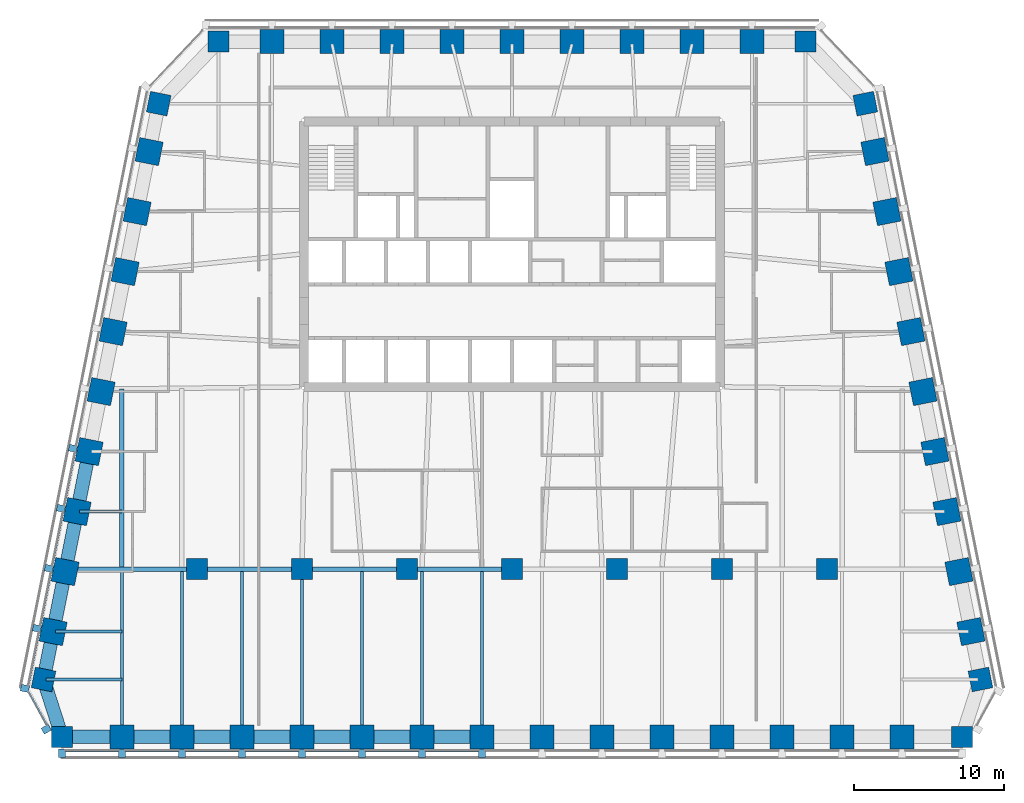
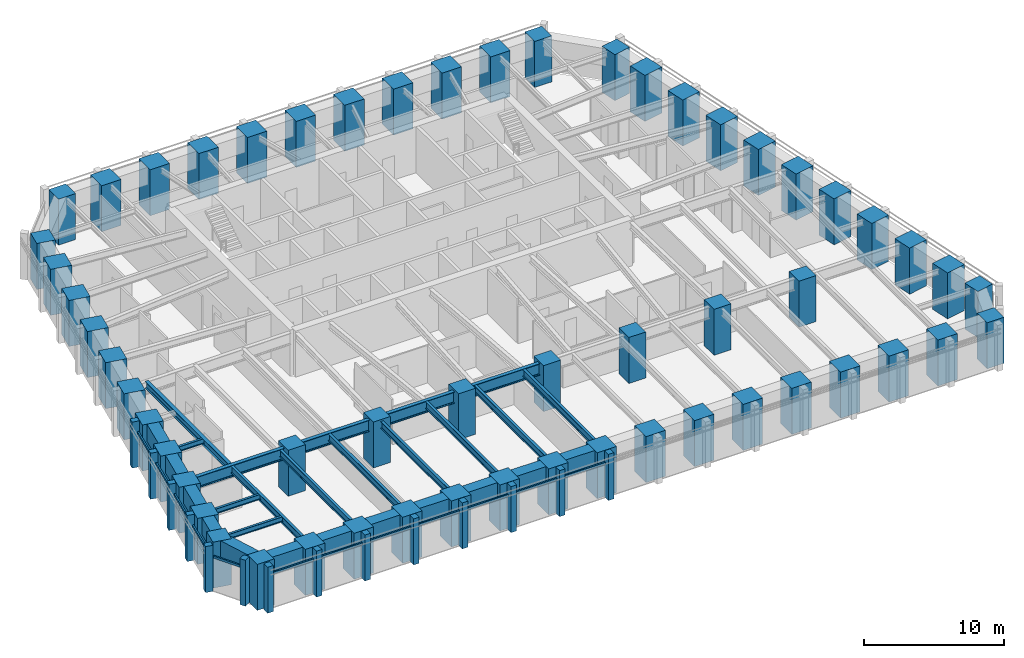
# One storey, part 1 of 10: 56 columns, 27 beams, 26 members, 3 elements without a shape of their own.
"""IFC4 building model written with IfcOpenShell, lengths in metres."""

from ifc_helpers import new_model, si_unit, direction, frame, origin, origin_2d, place, context, subcontext, project, spatial, rectangle, i_section, extrude, material, material_profile, profile_set, type_object, element, aggregate, save


model = new_model("IFC4")

# Units and contexts
model_context = context("Model", 3, precision=1e-05, world=origin(), true_north=direction((0.0, 1.0)))
body_context = subcontext(model_context, "Body", "Model", "MODEL_VIEW")
ifc_project = project(units=[si_unit("LENGTHUNIT", "METRE"), si_unit("AREAUNIT", "SQUARE_METRE"), si_unit("VOLUMEUNIT", "CUBIC_METRE"), si_unit("PLANEANGLEUNIT", "RADIAN"), si_unit("MASSUNIT", "GRAM", prefix="KILO")], contexts=[model_context])

# Site, building, storey
site_placement = place(None, origin())
site = spatial("IfcSite", under=ifc_project, at=site_placement, CompositionType="ELEMENT")
building_placement = place(site_placement, origin())
building = spatial("IfcBuilding", under=site, at=building_placement, Name="Isbrekke Arena Tower", CompositionType="ELEMENT")
storey_placement = place(building_placement, frame((0.0, 0.0, 190.0)))
storey = spatial("IfcBuildingStorey", under=building, at=storey_placement, Name="L43", CompositionType="ELEMENT", Elevation=190.0)

# Columns
ifc_material_1 = material(Name="Concrete B65 (C65/80)", Category="concrete")
ifc_material_profile_1 = material_profile(ifc_material_1, rectangle(XDim=1.39990234375, YDim=1.39990234375, at=origin_2d()), Name="RC 1400x1400")
ifc_profile_set_1 = profile_set([ifc_material_profile_1], Name="Concrete B65 (C65/80)")
column_type_1 = type_object("IfcColumnType", Name="C13 RC 1400 x 1400", PredefinedType="COLUMN", material=ifc_profile_set_1)
for number, where, z_axis, x_axis, name in (
    (1, (-21.0, -6.0, 0.0), (0.0, 0.0, 1.0), (1.0, 0.0, 0.0), "C13 I01"),
    (2, (-14.0, -6.0, 0.0), (0.0, 0.0, 1.0), (1.0, 0.0, 0.0), "C13 I02"),
    (3, (-7.0, -6.0, 0.0), (0.0, 0.0, 1.0), (1.0, 0.0, 0.0), "C13 I03"),
    (4, (0.0, -6.0, 0.0), (0.0, 0.0, 1.0), (1.0, 0.0, 0.0), "C13 I04"),
    (5, (7.0, -6.0, 0.0), (0.0, 0.0, 1.0), (1.0, 0.0, 0.0), "C13 I05"),
    (6, (14.0, -6.0, 0.0), (0.0, 0.0, 1.0), (1.0, 0.0, 0.0), "C13 I06"),
    (7, (21.0, -6.0, 0.0), (0.0, 0.0, 1.0), (1.0, 0.0, 0.0), "C13 I07"),
):
    element("IfcColumn", number, at=place(storey_placement, frame(where, z_axis=z_axis, x_axis=x_axis)), inside=storey, type_object=column_type_1, Name=name, PredefinedType="COLUMN", context=body_context, shape_type="SweptSolid", body=[
        extrude(rectangle(XDim=1.39990234375, YDim=1.39990234375, at=origin_2d()), origin(), (0.0, 0.0, 1.0), 4.0),
    ])
ifc_material_2 = material(Name="Concrete B65 (C65/80)", Category="concrete")
ifc_material_profile_2 = material_profile(ifc_material_2, rectangle(XDim=1.60009765625, YDim=1.60009765625, at=origin_2d()), Name="RC 1600x1600")
ifc_profile_set_2 = profile_set([ifc_material_profile_2], Name="Concrete B65 (C65/80)")
column_type_2 = type_object("IfcColumnType", Name="C4 RC 1600 x 1600", PredefinedType="COLUMN", material=ifc_profile_set_2)
for number, where, z_axis, x_axis, name in (
    (8, (-26.0, -17.175048828125, 0.0), (0.0, 0.0, 1.0), (1.0, 0.0, 0.0), "C4 S02"),
    (9, (-22.0, -17.175048828125, 0.0), (0.0, 0.0, 1.0), (1.0, 0.0, 0.0), "C4 S03"),
    (10, (-18.0, -17.175048828125, 0.0), (0.0, 0.0, 1.0), (1.0, 0.0, 0.0), "C4 S04"),
    (11, (-14.0, -17.175048828125, 0.0), (0.0, 0.0, 1.0), (1.0, 0.0, 0.0), "C4 S05"),
    (12, (-10.0, -17.175048828125, 0.0), (0.0, 0.0, 1.0), (1.0, 0.0, 0.0), "C4 S06"),
    (13, (-6.0, -17.175048828125, 0.0), (0.0, 0.0, 1.0), (1.0, 0.0, 0.0), "C4 S07"),
    (14, (-2.0, -17.175048828125, 0.0), (0.0, 0.0, 1.0), (1.0, 0.0, 0.0), "C4 S08"),
    (15, (2.0, -17.175048828125, 0.0), (0.0, 0.0, 1.0), (1.0, 0.0, 0.0), "C4 S09"),
    (16, (6.0, -17.175048828125, 0.0), (0.0, 0.0, 1.0), (1.0, 0.0, 0.0), "C4 S10"),
    (17, (10.0, -17.175048828125, 0.0), (0.0, 0.0, 1.0), (1.0, 0.0, 0.0), "C4 S11"),
    (18, (14.0, -17.175048828125, 0.0), (0.0, 0.0, 1.0), (1.0, 0.0, 0.0), "C4 S12"),
    (19, (18.0, -17.175048828125, 0.0), (0.0, 0.0, 1.0), (1.0, 0.0, 0.0), "C4 S13"),
    (20, (22.0, -17.175048828125, 0.0), (0.0, 0.0, 1.0), (1.0, 0.0, 0.0), "C4 S14"),
    (21, (26.0, -17.175048828125, 0.0), (0.0, 0.0, 1.0), (1.0, 0.0, 0.0), "C4 S15"),
    (22, (30.591064453125, -10.161865234375, 0.0), (0.0, 0.0, 1.0), (-0.196116135138, 0.980580675691, 0.0), "C4 E02"),
    (23, (29.791015625, -6.161865234375, 0.0), (0.0, 0.0, 1.0), (-0.196116135138, 0.980580675691, 0.0), "C4 E03"),
    (24, (28.990966796875, -2.161865234375, 0.0), (0.0, 0.0, 1.0), (-0.196116135138, 0.980580675691, 0.0), "C4 E04"),
    (25, (28.19091796875, 1.838134765625, 0.0), (0.0, 0.0, 1.0), (-0.196116135138, 0.980580675691, 0.0), "C4 E05"),
    (26, (27.39111328125, 5.838134765625, 0.0), (0.0, 0.0, 1.0), (-0.196116135138, 0.980580675691, 0.0), "C4 E06"),
    (27, (26.591064453125, 9.838134765625, 0.0), (0.0, 0.0, 1.0), (-0.196116135138, 0.980580675691, 0.0), "C4 E07"),
    (28, (25.791015625, 13.838134765625, 0.0), (0.0, 0.0, 1.0), (-0.196116135138, 0.980580675691, 0.0), "C4 E08"),
    (29, (24.990966796875, 17.838134765625, 0.0), (0.0, 0.0, 1.0), (-0.196116135138, 0.980580675691, 0.0), "C4 E09"),
    (30, (24.19091796875, 21.838134765625, 0.0), (0.0, 0.0, 1.0), (-0.196116135138, 0.980580675691, 0.0), "C4 E10"),
    (31, (16.0, 29.175048828125, 0.0), (0.0, 0.0, 1.0), (-1.0, 0.0, 0.0), "C4 N02"),
    (32, (12.0, 29.175048828125, 0.0), (0.0, 0.0, 1.0), (-1.0, 0.0, 0.0), "C4 N03"),
    (33, (8.0, 29.175048828125, 0.0), (0.0, 0.0, 1.0), (-1.0, 0.0, 0.0), "C4 N04"),
    (34, (4.0, 29.175048828125, 0.0), (0.0, 0.0, 1.0), (-1.0, 0.0, 0.0), "C4 N05"),
    (35, (0.0, 29.175048828125, 0.0), (0.0, 0.0, 1.0), (-1.0, 0.0, 0.0), "C4 N06"),
    (36, (-4.0, 29.175048828125, 0.0), (0.0, 0.0, 1.0), (-1.0, 0.0, 0.0), "C4 N07"),
    (37, (-8.0, 29.175048828125, 0.0), (0.0, 0.0, 1.0), (-1.0, 0.0, 0.0), "C4 N08"),
    (38, (-12.0, 29.175048828125, 0.0), (0.0, 0.0, 1.0), (-1.0, 0.0, 0.0), "C4 N09"),
    (39, (-16.0, 29.175048828125, 0.0), (0.0, 0.0, 1.0), (-1.0, 0.0, 0.0), "C4 N10"),
    (40, (-24.19091796875, 21.838134765625, 0.0), (0.0, 0.0, 1.0), (-0.196116135138, -0.980580675691, 0.0), "C4 W02"),
    (41, (-24.990966796875, 17.838134765625, 0.0), (0.0, 0.0, 1.0), (-0.196116135138, -0.980580675691, 0.0), "C4 W03"),
    (42, (-25.791015625, 13.838134765625, 0.0), (0.0, 0.0, 1.0), (-0.196116135138, -0.980580675691, 0.0), "C4 W04"),
    (43, (-26.591064453125, 9.838134765625, 0.0), (0.0, 0.0, 1.0), (-0.196116135138, -0.980580675691, 0.0), "C4 W05"),
    (44, (-27.39111328125, 5.838134765625, 0.0), (0.0, 0.0, 1.0), (-0.196116135138, -0.980580675691, 0.0), "C4 W06"),
    (45, (-28.19091796875, 1.838134765625, 0.0), (0.0, 0.0, 1.0), (-0.196116135138, -0.980580675691, 0.0), "C4 W07"),
    (46, (-28.990966796875, -2.161865234375, 0.0), (0.0, 0.0, 1.0), (-0.196116135138, -0.980580675691, 0.0), "C4 W08"),
    (47, (-29.791015625, -6.161865234375, 0.0), (0.0, 0.0, 1.0), (-0.196116135138, -0.980580675691, 0.0), "C4 W09"),
    (48, (-30.591064453125, -10.161865234375, 0.0), (0.0, 0.0, 1.0), (-0.196116135138, -0.980580675691, 0.0), "C4 W10"),
):
    element("IfcColumn", number, at=place(storey_placement, frame(where, z_axis=z_axis, x_axis=x_axis)), inside=storey, type_object=column_type_2, Name=name, PredefinedType="COLUMN", context=body_context, shape_type="SweptSolid", body=[
        extrude(rectangle(XDim=1.60009765625, YDim=1.60009765625, at=origin_2d()), origin(), (0.0, 0.0, 1.0), 4.0),
    ])
ifc_material_3 = material(Name="Concrete B65 (C65/80)", Category="concrete")
ifc_material_profile_3 = material_profile(ifc_material_3, rectangle(XDim=1.39990234375, YDim=1.39990234375, at=origin_2d()), Name="RC 1400x1400")
ifc_profile_set_3 = profile_set([ifc_material_profile_3], Name="Concrete B65 (C65/80)")
column_type_3 = type_object("IfcColumnType", Name="C8 RC 1400 x 1400", PredefinedType="COLUMN", material=ifc_profile_set_3)
for number, where, z_axis, x_axis, name in (
    (49, (-30.0, -17.175048828125, 0.0), (0.0, 0.0, 1.0), (1.0, 0.0, 0.0), "C8 S01"),
    (50, (30.0, -17.175048828125, 0.0), (0.0, 0.0, 1.0), (1.0, 0.0, 0.0), "C8 S16"),
    (51, (31.229248046875, -13.352783203125, 0.0), (0.0, 0.0, 1.0), (-0.196116135138, 0.980580675691, 0.0), "C8 E01"),
    (52, (23.552734375, 25.029296875, 0.0), (0.0, 0.0, 1.0), (-0.196116135138, 0.980580675691, 0.0), "C8 E11"),
    (53, (19.574951171875, 29.175048828125, 0.0), (0.0, 0.0, 1.0), (-1.0, 0.0, 0.0), "C8 N01"),
    (54, (-19.574951171875, 29.175048828125, 0.0), (0.0, 0.0, 1.0), (-1.0, 0.0, 0.0), "C8 N11"),
    (55, (-23.552734375, 25.029296875, 0.0), (0.0, 0.0, 1.0), (-0.196116135138, -0.980580675691, 0.0), "C8 W01"),
    (56, (-31.229248046875, -13.352783203125, 0.0), (0.0, 0.0, 1.0), (-0.196116135138, -0.980580675691, 0.0), "C8 W11"),
):
    element("IfcColumn", number, at=place(storey_placement, frame(where, z_axis=z_axis, x_axis=x_axis)), inside=storey, type_object=column_type_3, Name=name, PredefinedType="COLUMN", context=body_context, shape_type="SweptSolid", body=[
        extrude(rectangle(XDim=1.39990234375, YDim=1.39990234375, at=origin_2d()), origin(), (0.0, 0.0, 1.0), 4.0),
    ])

# Beams
ifc_material_4 = material(Name="Steel S355", Category="steel")
ifc_material_profile_4 = material_profile(ifc_material_4, i_section(OverallWidth=0.219970703125, OverallDepth=0.60009765625, WebThickness=0.011962890625, FlangeThickness=0.01904296875, FilletRadius=0.02392578125, at=origin_2d()), Name="IPE 600")
ifc_profile_set_4 = profile_set([ifc_material_profile_4], Name="Steel S355")
beam_type_1 = type_object("IfcBeamType", Name="B1 IPE 600", PredefinedType="BEAM", material=ifc_profile_set_4)
for number, where, z_axis, x_axis, name in (
    (57, (-26.0, -17.02490234375, 3.550048828125), (0.0, 1.0, 0.0), (-1.0, 0.0, 0.0), "B1 beam S-S02 L43"),
    (58, (-22.0, -17.02490234375, 3.550048828125), (0.0, 1.0, 0.0), (-1.0, 0.0, 0.0), "B1 beam S-S03 L43"),
    (59, (-18.0, -17.02490234375, 3.550048828125), (0.0, 1.0, 0.0), (-1.0, 0.0, 0.0), "B1 beam S-S04 L43"),
):
    element("IfcBeam", number, at=place(storey_placement, frame(where, z_axis=z_axis, x_axis=x_axis)), inside=storey, type_object=beam_type_1, Name=name, PredefinedType="BEAM", context=body_context, shape_type="SweptSolid", body=[
        extrude(i_section(OverallWidth=0.219970703125, OverallDepth=0.60009765625, WebThickness=0.011962890625, FlangeThickness=0.01904296875, FilletRadius=0.02392578125, at=origin_2d()), origin(), (0.0, 0.0, 1.0), 10.8740234375),
    ])
beam_1_placement = place(storey_placement, frame((-14.0, -17.02490234375, 3.550048828125), z_axis=(0.0, 1.0, 0.0), x_axis=(-1.0, 0.0, 0.0)))
element("IfcBeam", 60, at=beam_1_placement, inside=storey, type_object=beam_type_1, Name="B1 beam S-S05 L43", PredefinedType="BEAM", context=body_context, shape_type="SweptSolid", body=[
    extrude(i_section(OverallWidth=0.219970703125, OverallDepth=0.60009765625, WebThickness=0.011962890625, FlangeThickness=0.01904296875, FilletRadius=0.02392578125, at=origin_2d()), origin(), (0.0, 0.0, 1.0), 10.875),
])
for number, where, z_axis, x_axis, name in (
    (61, (-10.0, -17.02490234375, 3.550048828125), (0.0, 1.0, 0.0), (-1.0, 0.0, 0.0), "B1 beam S-S06 L43"),
    (62, (-6.0, -17.02490234375, 3.550048828125), (0.0, 1.0, 0.0), (-1.0, 0.0, 0.0), "B1 beam S-S07 L43"),
    (63, (-2.0, -17.02490234375, 3.550048828125), (0.0, 1.0, 0.0), (-1.0, 0.0, 0.0), "B1 beam S-S08 L43"),
):
    element("IfcBeam", number, at=place(storey_placement, frame(where, z_axis=z_axis, x_axis=x_axis)), inside=storey, type_object=beam_type_1, Name=name, PredefinedType="BEAM", context=body_context, shape_type="SweptSolid", body=[
        extrude(i_section(OverallWidth=0.219970703125, OverallDepth=0.60009765625, WebThickness=0.011962890625, FlangeThickness=0.01904296875, FilletRadius=0.02392578125, at=origin_2d()), origin(), (0.0, 0.0, 1.0), 10.8740234375),
    ])
ifc_material_5 = material(Name="Steel S355", Category="steel")
ifc_material_profile_5 = material_profile(ifc_material_5, i_section(OverallWidth=0.18994140625, OverallDepth=0.449951171875, WebThickness=0.009521484375, FlangeThickness=0.0146484375, FilletRadius=0.02099609375, at=origin_2d()), Name="IPE 450")
ifc_profile_set_5 = profile_set([ifc_material_profile_5], Name="Steel S355")
beam_type_2 = type_object("IfcBeamType", Name="B2 IPE 450", PredefinedType="BEAM", material=ifc_profile_set_5)
beam_2_placement = place(storey_placement, frame((-28.841064453125, -2.161865234375, 3.625), z_axis=(1.0, 0.0, 0.0), x_axis=(0.0, 1.0, 0.0)))
element("IfcBeam", 64, at=beam_2_placement, inside=storey, type_object=beam_type_2, Name="B2 beam E-W08 L43", PredefinedType="BEAM", context=body_context, shape_type="SweptSolid", body=[
    extrude(i_section(OverallWidth=0.18994140625, OverallDepth=0.449951171875, WebThickness=0.009521484375, FlangeThickness=0.0146484375, FilletRadius=0.02099609375, at=origin_2d()), origin(), (0.0, 0.0, 1.0), 2.841064453125),
])
beam_3_placement = place(storey_placement, frame((-30.44091796875, -10.161865234375, 3.625), z_axis=(1.0, 0.0, 0.0), x_axis=(0.0, 1.0, 0.0)))
element("IfcBeam", 65, at=beam_3_placement, inside=storey, type_object=beam_type_2, Name="B2 beam E-W10 L43", PredefinedType="BEAM", context=body_context, shape_type="SweptSolid", body=[
    extrude(i_section(OverallWidth=0.18994140625, OverallDepth=0.449951171875, WebThickness=0.009521484375, FlangeThickness=0.0146484375, FilletRadius=0.02099609375, at=origin_2d()), origin(), (0.0, 0.0, 1.0), 4.44091796875),
])
beam_4_placement = place(storey_placement, frame((-31.079345703125, -13.352783203125, 3.625), z_axis=(1.0, 0.0, 0.0), x_axis=(0.0, 1.0, 0.0)))
element("IfcBeam", 66, at=beam_4_placement, inside=storey, type_object=beam_type_2, Name="B2 beam E-W11 L43", PredefinedType="BEAM", context=body_context, shape_type="SweptSolid", body=[
    extrude(i_section(OverallWidth=0.18994140625, OverallDepth=0.449951171875, WebThickness=0.009521484375, FlangeThickness=0.0146484375, FilletRadius=0.02099609375, at=origin_2d()), origin(), (0.0, 0.0, 1.0), 5.079345703125),
])
ifc_material_6 = material(Name="Steel S355", Category="steel")
ifc_material_profile_6 = material_profile(ifc_material_6, i_section(OverallWidth=0.300048828125, OverallDepth=0.60009765625, WebThickness=0.015380859375, FlangeThickness=0.030029296875, FilletRadius=0.027099609375, at=origin_2d()), Name="HEB 600")
ifc_profile_set_6 = profile_set([ifc_material_profile_6], Name="Steel S355")
beam_type_3 = type_object("IfcBeamType", Name="B7 HEB 600", PredefinedType="BEAM", material=ifc_profile_set_6)
beam_5_placement = place(storey_placement, frame((-26.0, -5.84912109375, 3.550048828125), z_axis=(0.0, 1.0, 0.0), x_axis=(-1.0, 0.0, 0.0)))
element("IfcBeam", 67, at=beam_5_placement, inside=storey, type_object=beam_type_3, Name="B7 beam C-M01 L43", PredefinedType="BEAM", context=body_context, shape_type="SweptSolid", body=[
    extrude(i_section(OverallWidth=0.300048828125, OverallDepth=0.60009765625, WebThickness=0.015380859375, FlangeThickness=0.030029296875, FilletRadius=0.027099609375, at=origin_2d()), origin(), (0.0, 0.0, 1.0), 11.864990234375),
])

# Curtain wall, members
ifc_material_7 = material(Name="Glazed aluminium curtain wall", Category="aluminium")
curtain_wall_type = type_object("IfcCurtainWallType", Name="CWH TOWER CURTAIN WALL HIGH ZONE", PredefinedType="USERDEFINED", material=ifc_material_7)
curtain_wall_1_placement = place(storey_placement, origin())
curtain_wall_1 = element("IfcCurtainWall", 68, at=curtain_wall_1_placement, inside=storey, type_object=curtain_wall_type, Name="CWH curtain wall L43-S", ObjectType="TOWER CURTAIN WALL HIGH ZONE", PredefinedType="USERDEFINED")
ifc_material_8 = material(Name="Aluminium mullion, pale brick slip cladding", Category="masonry")
ifc_material_profile_7 = material_profile(ifc_material_8, rectangle(XDim=0.449951171875, YDim=0.550048828125, at=origin_2d()), Name="PIER 450X550")
ifc_profile_set_7 = profile_set([ifc_material_profile_7], Name="Aluminium mullion, pale brick slip cladding")
member_type_1 = type_object("IfcMemberType", Name="CWH-M PIER MULLION 450 x 550", PredefinedType="MULLION", material=ifc_profile_set_7)
member_1_placement = place(storey_placement, frame((-30.0, -18.27490234375, 0.0), z_axis=(0.0, 0.0, 1.0), x_axis=(1.0, 0.0, 0.0)))
member_1 = element("IfcMember", 69, at=member_1_placement, type_object=member_type_1, Name="CWH-M mullion 1", PredefinedType="MULLION", context=body_context, shape_type="SweptSolid", body=[
    extrude(rectangle(XDim=0.449951171875, YDim=0.550048828125, at=origin_2d()), origin(), (0.0, 0.0, 1.0), 4.0),
])
member_2_placement = place(storey_placement, frame((-26.0, -18.27490234375, 0.0), z_axis=(0.0, 0.0, 1.0), x_axis=(1.0, 0.0, 0.0)))
member_2 = element("IfcMember", 70, at=member_2_placement, type_object=member_type_1, Name="CWH-M mullion 2", PredefinedType="MULLION", context=body_context, shape_type="SweptSolid", body=[
    extrude(rectangle(XDim=0.449951171875, YDim=0.550048828125, at=origin_2d()), origin(), (0.0, 0.0, 1.0), 4.0),
])
member_3_placement = place(storey_placement, frame((-22.0, -18.27490234375, 0.0), z_axis=(0.0, 0.0, 1.0), x_axis=(1.0, 0.0, 0.0)))
member_3 = element("IfcMember", 71, at=member_3_placement, type_object=member_type_1, Name="CWH-M mullion 3", PredefinedType="MULLION", context=body_context, shape_type="SweptSolid", body=[
    extrude(rectangle(XDim=0.449951171875, YDim=0.550048828125, at=origin_2d()), origin(), (0.0, 0.0, 1.0), 4.0),
])
member_4_placement = place(storey_placement, frame((-18.0, -18.27490234375, 0.0), z_axis=(0.0, 0.0, 1.0), x_axis=(1.0, 0.0, 0.0)))
member_4 = element("IfcMember", 72, at=member_4_placement, type_object=member_type_1, Name="CWH-M mullion 4", PredefinedType="MULLION", context=body_context, shape_type="SweptSolid", body=[
    extrude(rectangle(XDim=0.449951171875, YDim=0.550048828125, at=origin_2d()), origin(), (0.0, 0.0, 1.0), 4.0),
])
member_5_placement = place(storey_placement, frame((-14.0, -18.27490234375, 0.0), z_axis=(0.0, 0.0, 1.0), x_axis=(1.0, 0.0, 0.0)))
member_5 = element("IfcMember", 73, at=member_5_placement, type_object=member_type_1, Name="CWH-M mullion 5", PredefinedType="MULLION", context=body_context, shape_type="SweptSolid", body=[
    extrude(rectangle(XDim=0.449951171875, YDim=0.550048828125, at=origin_2d()), origin(), (0.0, 0.0, 1.0), 4.0),
])
member_6_placement = place(storey_placement, frame((-10.0, -18.27490234375, 0.0), z_axis=(0.0, 0.0, 1.0), x_axis=(1.0, 0.0, 0.0)))
member_6 = element("IfcMember", 74, at=member_6_placement, type_object=member_type_1, Name="CWH-M mullion 6", PredefinedType="MULLION", context=body_context, shape_type="SweptSolid", body=[
    extrude(rectangle(XDim=0.449951171875, YDim=0.550048828125, at=origin_2d()), origin(), (0.0, 0.0, 1.0), 4.0),
])
member_7_placement = place(storey_placement, frame((-6.0, -18.27490234375, 0.0), z_axis=(0.0, 0.0, 1.0), x_axis=(1.0, 0.0, 0.0)))
member_7 = element("IfcMember", 75, at=member_7_placement, type_object=member_type_1, Name="CWH-M mullion 7", PredefinedType="MULLION", context=body_context, shape_type="SweptSolid", body=[
    extrude(rectangle(XDim=0.449951171875, YDim=0.550048828125, at=origin_2d()), origin(), (0.0, 0.0, 1.0), 4.0),
])
member_8_placement = place(storey_placement, frame((-2.0, -18.27490234375, 0.0), z_axis=(0.0, 0.0, 1.0), x_axis=(1.0, 0.0, 0.0)))
member_8 = element("IfcMember", 76, at=member_8_placement, type_object=member_type_1, Name="CWH-M mullion 8", PredefinedType="MULLION", context=body_context, shape_type="SweptSolid", body=[
    extrude(rectangle(XDim=0.449951171875, YDim=0.550048828125, at=origin_2d()), origin(), (0.0, 0.0, 1.0), 4.0),
])

curtain_wall_2_placement = place(storey_placement, origin())
curtain_wall_2 = element("IfcCurtainWall", 77, at=curtain_wall_2_placement, inside=storey, type_object=curtain_wall_type, Name="CWH curtain wall L43-W", ObjectType="TOWER CURTAIN WALL HIGH ZONE", PredefinedType="USERDEFINED")
member_9_placement = place(storey_placement, frame((-29.269775390625, 2.053955078125, 0.0), z_axis=(0.0, 0.0, 1.0), x_axis=(-0.196116135138, -0.980580675691, 0.0)))
member_9 = element("IfcMember", 78, at=member_9_placement, type_object=member_type_1, Name="CWH-M mullion 6", PredefinedType="MULLION", context=body_context, shape_type="SweptSolid", body=[
    extrude(rectangle(XDim=0.449951171875, YDim=0.550048828125, at=origin_2d()), origin(), (0.0, 0.0, 1.0), 4.0),
])
member_10_placement = place(storey_placement, frame((-30.069580078125, -1.946044921875, 0.0), z_axis=(0.0, 0.0, 1.0), x_axis=(-0.196116135138, -0.980580675691, 0.0)))
member_10 = element("IfcMember", 79, at=member_10_placement, type_object=member_type_1, Name="CWH-M mullion 7", PredefinedType="MULLION", context=body_context, shape_type="SweptSolid", body=[
    extrude(rectangle(XDim=0.449951171875, YDim=0.550048828125, at=origin_2d()), origin(), (0.0, 0.0, 1.0), 4.0),
])
member_11_placement = place(storey_placement, frame((-30.86962890625, -5.946044921875, 0.0), z_axis=(0.0, 0.0, 1.0), x_axis=(-0.196116135138, -0.980580675691, 0.0)))
member_11 = element("IfcMember", 80, at=member_11_placement, type_object=member_type_1, Name="CWH-M mullion 8", PredefinedType="MULLION", context=body_context, shape_type="SweptSolid", body=[
    extrude(rectangle(XDim=0.449951171875, YDim=0.550048828125, at=origin_2d()), origin(), (0.0, 0.0, 1.0), 4.0),
])
member_12_placement = place(storey_placement, frame((-31.669677734375, -9.946044921875, 0.0), z_axis=(0.0, 0.0, 1.0), x_axis=(-0.196116135138, -0.980580675691, 0.0)))
member_12 = element("IfcMember", 81, at=member_12_placement, type_object=member_type_1, Name="CWH-M mullion 9", PredefinedType="MULLION", context=body_context, shape_type="SweptSolid", body=[
    extrude(rectangle(XDim=0.449951171875, YDim=0.550048828125, at=origin_2d()), origin(), (0.0, 0.0, 1.0), 4.0),
])
member_13_placement = place(storey_placement, frame((-32.4697265625, -13.946044921875, 0.0), z_axis=(0.0, 0.0, 1.0), x_axis=(-0.196116135138, -0.980580675691, 0.0)))
member_13 = element("IfcMember", 82, at=member_13_placement, type_object=member_type_1, Name="CWH-M mullion 10", PredefinedType="MULLION", context=body_context, shape_type="SweptSolid", body=[
    extrude(rectangle(XDim=0.449951171875, YDim=0.550048828125, at=origin_2d()), origin(), (0.0, 0.0, 1.0), 4.0),
])

# Curtain wall, member
curtain_wall_3_placement = place(storey_placement, origin())
curtain_wall_3 = element("IfcCurtainWall", 83, at=curtain_wall_3_placement, inside=storey, type_object=curtain_wall_type, Name="CWH curtain wall L43-WS", ObjectType="TOWER CURTAIN WALL HIGH ZONE", PredefinedType="USERDEFINED")
member_14_placement = place(storey_placement, frame((-31.04638671875, -16.66796875, 0.0), z_axis=(0.0, 0.0, 1.0), x_axis=(0.481918749773, -0.876215908676, 0.0)))
member_14 = element("IfcMember", 84, at=member_14_placement, type_object=member_type_1, Name="CWH-M mullion 1", PredefinedType="MULLION", context=body_context, shape_type="SweptSolid", body=[
    extrude(rectangle(XDim=0.449951171875, YDim=0.550048828125, at=origin_2d()), origin(), (0.0, 0.0, 1.0), 4.0),
])

# Member
ifc_material_9 = material(Name="Aluminium transom", Category="aluminium")
ifc_material_profile_8 = material_profile(ifc_material_9, rectangle(XDim=0.1201171875, YDim=0.199951171875, at=origin_2d()), Name="TRANSOM 120X200")
ifc_profile_set_8 = profile_set([ifc_material_profile_8], Name="Aluminium transom")
member_type_2 = type_object("IfcMemberType", Name="CWH-T TRANSOM 120 x 200", PredefinedType="USERDEFINED", material=ifc_profile_set_8)
member_15_placement = place(storey_placement, frame((-29.77490234375, -18.10009765625, 3.0), z_axis=(1.0, 0.0, 0.0), x_axis=(0.0, 1.0, 0.0)))
member_15 = element("IfcMember", 85, at=member_15_placement, type_object=member_type_2, Name="CWH-T transom 1", ObjectType="TRANSOM", PredefinedType="USERDEFINED", context=body_context, shape_type="SweptSolid", body=[
    extrude(rectangle(XDim=0.1201171875, YDim=0.199951171875, at=origin_2d()), origin(), (0.0, 0.0, 1.0), 3.5498046875),
])

member_16_placement = place(storey_placement, frame((-25.77490234375, -18.10009765625, 3.0), z_axis=(1.0, 0.0, 0.0), x_axis=(0.0, 1.0, 0.0)))
member_16 = element("IfcMember", 86, at=member_16_placement, type_object=member_type_2, Name="CWH-T transom 2", ObjectType="TRANSOM", PredefinedType="USERDEFINED", context=body_context, shape_type="SweptSolid", body=[
    extrude(rectangle(XDim=0.1201171875, YDim=0.199951171875, at=origin_2d()), origin(), (0.0, 0.0, 1.0), 3.5498046875),
])

member_17_placement = place(storey_placement, frame((-21.77490234375, -18.10009765625, 3.0), z_axis=(1.0, 0.0, 0.0), x_axis=(0.0, 1.0, 0.0)))
member_17 = element("IfcMember", 87, at=member_17_placement, type_object=member_type_2, Name="CWH-T transom 3", ObjectType="TRANSOM", PredefinedType="USERDEFINED", context=body_context, shape_type="SweptSolid", body=[
    extrude(rectangle(XDim=0.1201171875, YDim=0.199951171875, at=origin_2d()), origin(), (0.0, 0.0, 1.0), 3.5498046875),
])

member_18_placement = place(storey_placement, frame((-17.77490234375, -18.10009765625, 3.0), z_axis=(1.0, 0.0, 0.0), x_axis=(0.0, 1.0, 0.0)))
member_18 = element("IfcMember", 88, at=member_18_placement, type_object=member_type_2, Name="CWH-T transom 4", ObjectType="TRANSOM", PredefinedType="USERDEFINED", context=body_context, shape_type="SweptSolid", body=[
    extrude(rectangle(XDim=0.1201171875, YDim=0.199951171875, at=origin_2d()), origin(), (0.0, 0.0, 1.0), 3.5498046875),
])

member_19_placement = place(storey_placement, frame((-13.77490234375, -18.10009765625, 3.0), z_axis=(1.0, 0.0, 0.0), x_axis=(0.0, 1.0, 0.0)))
member_19 = element("IfcMember", 89, at=member_19_placement, type_object=member_type_2, Name="CWH-T transom 5", ObjectType="TRANSOM", PredefinedType="USERDEFINED", context=body_context, shape_type="SweptSolid", body=[
    extrude(rectangle(XDim=0.1201171875, YDim=0.199951171875, at=origin_2d()), origin(), (0.0, 0.0, 1.0), 3.5498046875),
])

member_20_placement = place(storey_placement, frame((-9.77490234375, -18.10009765625, 3.0), z_axis=(1.0, 0.0, 0.0), x_axis=(0.0, 1.0, 0.0)))
member_20 = element("IfcMember", 90, at=member_20_placement, type_object=member_type_2, Name="CWH-T transom 6", ObjectType="TRANSOM", PredefinedType="USERDEFINED", context=body_context, shape_type="SweptSolid", body=[
    extrude(rectangle(XDim=0.1201171875, YDim=0.199951171875, at=origin_2d()), origin(), (0.0, 0.0, 1.0), 3.5498046875),
])

member_21_placement = place(storey_placement, frame((-5.77490234375, -18.10009765625, 3.0), z_axis=(1.0, 0.0, 0.0), x_axis=(0.0, 1.0, 0.0)))
member_21 = element("IfcMember", 91, at=member_21_placement, type_object=member_type_2, Name="CWH-T transom 7", ObjectType="TRANSOM", PredefinedType="USERDEFINED", context=body_context, shape_type="SweptSolid", body=[
    extrude(rectangle(XDim=0.1201171875, YDim=0.199951171875, at=origin_2d()), origin(), (0.0, 0.0, 1.0), 3.5498046875),
])

aggregate(curtain_wall_1, [member_1, member_2, member_3, member_4, member_5, member_6, member_7, member_8, member_15, member_16, member_17, member_18, member_19, member_20, member_21])

member_22_placement = place(storey_placement, frame((-29.14208984375, 1.799072265625, 3.0), z_axis=(-0.196154943734, -0.980572913173, 0.0), x_axis=(0.980572913173, -0.196154943734, 0.0)))
member_22 = element("IfcMember", 92, at=member_22_placement, type_object=member_type_2, Name="CWH-T transom 7", ObjectType="TRANSOM", PredefinedType="USERDEFINED", context=body_context, shape_type="SweptSolid", body=[
    extrude(rectangle(XDim=0.1201171875, YDim=0.199951171875, at=origin_2d()), origin(), (0.0, 0.0, 1.0), 3.62939453125),
])

member_23_placement = place(storey_placement, frame((-29.942138671875, -2.200927734375, 3.0), z_axis=(-0.196154943734, -0.980572913173, 0.0), x_axis=(0.980572913173, -0.196154943734, 0.0)))
member_23 = element("IfcMember", 93, at=member_23_placement, type_object=member_type_2, Name="CWH-T transom 8", ObjectType="TRANSOM", PredefinedType="USERDEFINED", context=body_context, shape_type="SweptSolid", body=[
    extrude(rectangle(XDim=0.1201171875, YDim=0.199951171875, at=origin_2d()), origin(), (0.0, 0.0, 1.0), 3.62939453125),
])

member_24_placement = place(storey_placement, frame((-30.7421875, -6.200927734375, 3.0), z_axis=(-0.196090262229, -0.980585849918, 0.0), x_axis=(0.980585849918, -0.196090262229, 0.0)))
member_24 = element("IfcMember", 94, at=member_24_placement, type_object=member_type_2, Name="CWH-T transom 9", ObjectType="TRANSOM", PredefinedType="USERDEFINED", context=body_context, shape_type="SweptSolid", body=[
    extrude(rectangle(XDim=0.1201171875, YDim=0.199951171875, at=origin_2d()), origin(), (0.0, 0.0, 1.0), 3.62939453125),
])

member_25_placement = place(storey_placement, frame((-31.542236328125, -10.200927734375, 3.0), z_axis=(-0.196090262229, -0.980585849918, 0.0), x_axis=(0.980585849918, -0.196090262229, 0.0)))
member_25 = element("IfcMember", 95, at=member_25_placement, type_object=member_type_2, Name="CWH-T transom 10", ObjectType="TRANSOM", PredefinedType="USERDEFINED", context=body_context, shape_type="SweptSolid", body=[
    extrude(rectangle(XDim=0.1201171875, YDim=0.199951171875, at=origin_2d()), origin(), (0.0, 0.0, 1.0), 3.62939453125),
])

aggregate(curtain_wall_2, [member_9, member_10, member_11, member_12, member_13, member_22, member_23, member_24, member_25])

member_26_placement = place(storey_placement, frame((-32.17919921875, -14.245361328125, 3.0), z_axis=(0.481957101782, -0.876194813978, 0.0), x_axis=(0.876194813978, 0.481957101782, 0.0)))
member_26 = element("IfcMember", 96, at=member_26_placement, type_object=member_type_2, Name="CWH-T transom 1", ObjectType="TRANSOM", PredefinedType="USERDEFINED", context=body_context, shape_type="SweptSolid", body=[
    extrude(rectangle(XDim=0.1201171875, YDim=0.199951171875, at=origin_2d()), origin(), (0.0, 0.0, 1.0), 2.443603515625),
])

aggregate(curtain_wall_3, [member_14, member_26])

# Beams
ifc_material_10 = material(Name="Steel S355", Category="steel")
ifc_material_profile_9 = material_profile(ifc_material_10, i_section(OverallWidth=0.302001953125, OverallDepth=1.008056640625, WebThickness=0.02099609375, FlangeThickness=0.0400390625, FilletRadius=0.030029296875, at=origin_2d()), Name="HEM 1000")
ifc_profile_set_9 = profile_set([ifc_material_profile_9], Name="Steel S355")
beam_type_4 = type_object("IfcBeamType", Name="G1 HEM 1000", PredefinedType="BEAM", material=ifc_profile_set_9)
beam_6_placement = place(storey_placement, frame((-29.791015625, -6.0, 3.345947265625), z_axis=(1.0, 0.0, 0.0), x_axis=(0.0, 1.0, 0.0)))
element("IfcBeam", 97, at=beam_6_placement, inside=storey, type_object=beam_type_4, Name="G1 beam G1-01 L43", PredefinedType="BEAM", context=body_context, shape_type="SweptSolid", body=[
    extrude(i_section(OverallWidth=0.302001953125, OverallDepth=1.008056640625, WebThickness=0.02099609375, FlangeThickness=0.0400390625, FilletRadius=0.030029296875, at=origin_2d()), origin(), (0.0, 0.0, 1.0), 8.64111328125),
])
for number, where, z_axis, x_axis, name in (
    (98, (-20.85009765625, -6.0, 3.345947265625), (1.0, 0.0, 0.0), (0.0, 1.0, 0.0), "G1 beam G1-02 L43"),
    (99, (-13.85009765625, -6.0, 3.345947265625), (1.0, 0.0, 0.0), (0.0, 1.0, 0.0), "G1 beam G1-03 L43"),
    (100, (-6.85009765625, -6.0, 3.345947265625), (1.0, 0.0, 0.0), (0.0, 1.0, 0.0), "G1 beam G1-04 L43"),
):
    element("IfcBeam", number, at=place(storey_placement, frame(where, z_axis=z_axis, x_axis=x_axis)), inside=storey, type_object=beam_type_4, Name=name, PredefinedType="BEAM", context=body_context, shape_type="SweptSolid", body=[
        extrude(i_section(OverallWidth=0.302001953125, OverallDepth=1.008056640625, WebThickness=0.02099609375, FlangeThickness=0.0400390625, FilletRadius=0.030029296875, at=origin_2d()), origin(), (0.0, 0.0, 1.0), 6.7001953125),
    ])
ifc_material_11 = material(Name="Concrete B65 (C65/80)", Category="concrete")
ifc_material_profile_10 = material_profile(ifc_material_11, rectangle(XDim=0.89990234375, YDim=1.5, at=origin_2d()), Name="RC 900x1500")
ifc_profile_set_10 = profile_set([ifc_material_profile_10], Name="Concrete B65 (C65/80)")
beam_type_5 = type_object("IfcBeamType", Name="SB3 RC 900 x 1500", PredefinedType="SPANDREL", material=ifc_profile_set_10)
for number, where, z_axis, x_axis, name in (
    (101, (-29.85009765625, -17.175048828125, 3.25), (1.0, 0.0, 0.0), (0.0, 1.0, 0.0), "SB3 spandrel S01-S02 L43"),
    (102, (-25.85009765625, -17.175048828125, 3.25), (1.0, 0.0, 0.0), (0.0, 1.0, 0.0), "SB3 spandrel S02-S03 L43"),
    (103, (-21.85009765625, -17.175048828125, 3.25), (1.0, 0.0, 0.0), (0.0, 1.0, 0.0), "SB3 spandrel S03-S04 L43"),
    (104, (-17.85009765625, -17.175048828125, 3.25), (1.0, 0.0, 0.0), (0.0, 1.0, 0.0), "SB3 spandrel S04-S05 L43"),
    (105, (-13.85009765625, -17.175048828125, 3.25), (1.0, 0.0, 0.0), (0.0, 1.0, 0.0), "SB3 spandrel S05-S06 L43"),
    (106, (-9.85009765625, -17.175048828125, 3.25), (1.0, 0.0, 0.0), (0.0, 1.0, 0.0), "SB3 spandrel S06-S07 L43"),
    (107, (-5.85009765625, -17.175048828125, 3.25), (1.0, 0.0, 0.0), (0.0, 1.0, 0.0), "SB3 spandrel S07-S08 L43"),
):
    element("IfcBeam", number, at=place(storey_placement, frame(where, z_axis=z_axis, x_axis=x_axis)), inside=storey, type_object=beam_type_5, Name=name, PredefinedType="SPANDREL", context=body_context, shape_type="SweptSolid", body=[
        extrude(rectangle(XDim=0.89990234375, YDim=1.5, at=origin_2d()), origin(), (0.0, 0.0, 1.0), 3.7001953125),
    ])
for number, where, z_axis, x_axis, name in (
    (108, (-28.220458984375, 1.691162109375, 3.25), (-0.196128558387, -0.980578190959, 0.0), (0.980578190959, -0.196128558387, 0.0), "SB3 spandrel W07-W08 L43"),
    (109, (-29.0205078125, -2.308837890625, 3.25), (-0.196128558387, -0.980578190959, 0.0), (0.980578190959, -0.196128558387, 0.0), "SB3 spandrel W08-W09 L43"),
):
    element("IfcBeam", number, at=place(storey_placement, frame(where, z_axis=z_axis, x_axis=x_axis)), inside=storey, type_object=beam_type_5, Name=name, PredefinedType="SPANDREL", context=body_context, shape_type="SweptSolid", body=[
        extrude(rectangle(XDim=0.89990234375, YDim=1.5, at=origin_2d()), origin(), (0.0, 0.0, 1.0), 3.779296875),
    ])
beam_7_placement = place(storey_placement, frame((-29.820556640625, -6.308837890625, 3.25), z_axis=(-0.1960664412, -0.980590613169, 0.0), x_axis=(0.980590613169, -0.1960664412, 0.0)))
element("IfcBeam", 110, at=beam_7_placement, inside=storey, type_object=beam_type_5, Name="SB3 spandrel W09-W10 L43", PredefinedType="SPANDREL", context=body_context, shape_type="SweptSolid", body=[
    extrude(rectangle(XDim=0.89990234375, YDim=1.5, at=origin_2d()), origin(), (0.0, 0.0, 1.0), 3.779052734375),
])
beam_8_placement = place(storey_placement, frame((-30.620361328125, -10.308837890625, 3.25), z_axis=(-0.196100243168, -0.980583853951, 0.0), x_axis=(0.980583853951, -0.196100243168, 0.0)))
element("IfcBeam", 111, at=beam_8_placement, inside=storey, type_object=beam_type_5, Name="SB3 spandrel W10-W11 L43", PredefinedType="SPANDREL", context=body_context, shape_type="SweptSolid", body=[
    extrude(rectangle(XDim=0.89990234375, YDim=1.5, at=origin_2d()), origin(), (0.0, 0.0, 1.0), 2.954345703125),
])
beam_9_placement = place(storey_placement, frame((-31.183349609375, -13.49560546875, 3.25), z_axis=(0.306175101476, -0.951975213562, 0.0), x_axis=(0.951975213562, 0.306175101476, 0.0)))
element("IfcBeam", 112, at=beam_9_placement, inside=storey, type_object=beam_type_5, Name="SB3 spandrel W11-S01 L43", PredefinedType="SPANDREL", context=body_context, shape_type="SweptSolid", body=[
    extrude(rectangle(XDim=0.89990234375, YDim=1.5, at=origin_2d()), origin(), (0.0, 0.0, 1.0), 3.715087890625),
])

save(model, "model.ifc")
